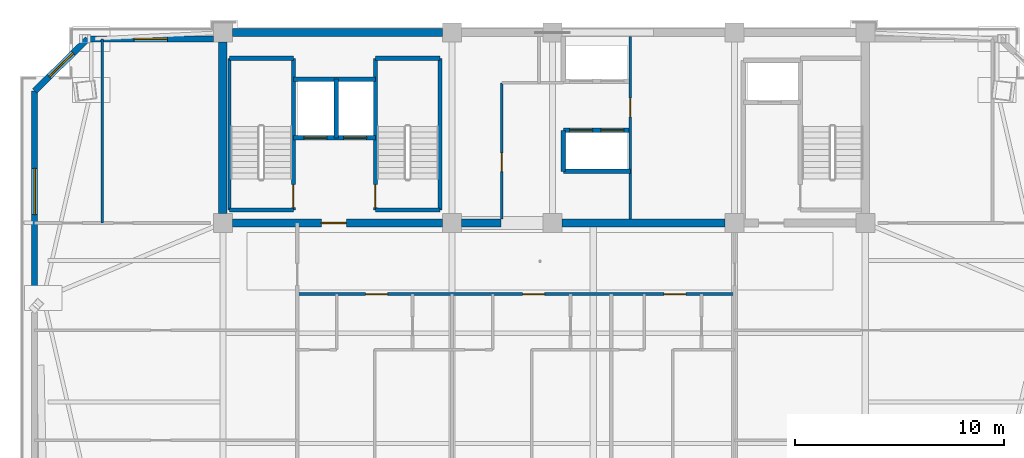
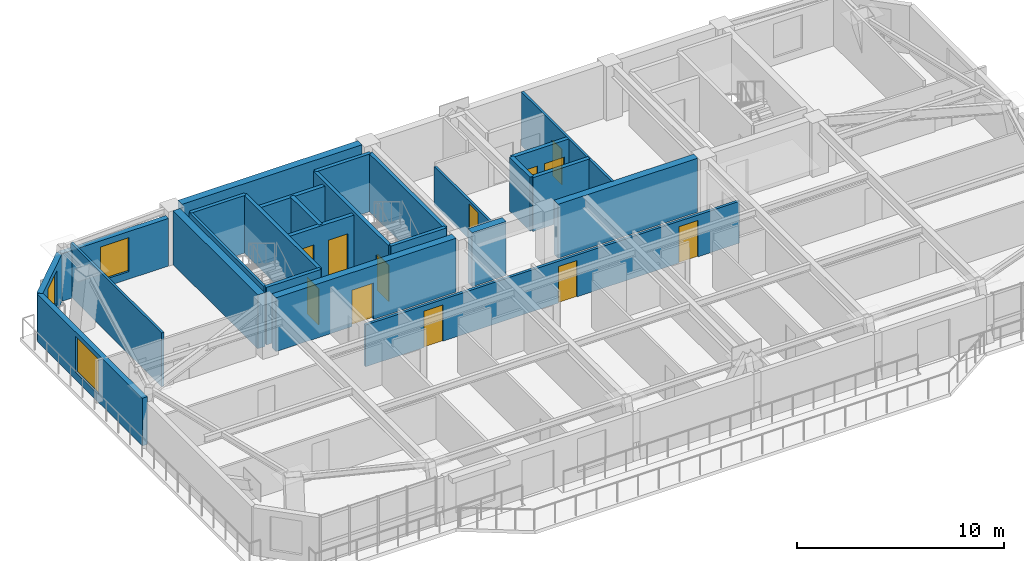
# One storey, part 7 of 14: 26 walls, 12 doors, 3 windows, 15 openings.
"""IFC4 building model written with IfcOpenShell, lengths in metres."""

from ifc_helpers import new_model, si_unit, direction, frame, frame_2d, origin, place, context, subcontext, project, spatial, rectangle, extrude, source, transform, mapped, material, layer, layer_set, type_object, element, fill, save


model = new_model("IFC4")

# Units and contexts
model_context = context("Model", 3, precision=1e-05, world=origin(), true_north=direction((0.0, 1.0)))
body_context = subcontext(model_context, "Body", "Model", "MODEL_VIEW")
ifc_project = project(units=[si_unit("LENGTHUNIT", "METRE"), si_unit("AREAUNIT", "SQUARE_METRE"), si_unit("VOLUMEUNIT", "CUBIC_METRE"), si_unit("PLANEANGLEUNIT", "RADIAN"), si_unit("MASSUNIT", "GRAM", prefix="KILO")], contexts=[model_context])

# Site, building, storey
site_placement = place(None, origin())
site = spatial("IfcSite", under=ifc_project, at=site_placement, CompositionType="ELEMENT")
building_placement = place(site_placement, origin())
building = spatial("IfcBuilding", under=site, at=building_placement, Name="Giltprow Tower", CompositionType="ELEMENT")
storey_placement = place(building_placement, frame((0.0, 0.0, 321.0)))
storey = spatial("IfcBuildingStorey", under=building, at=storey_placement, Name="L83", CompositionType="ELEMENT", Elevation=321.0)

# Wall, opening, window
ifc_material_1 = material(Name="Precast concrete C40", Category="concrete")
ifc_layer_1 = layer(ifc_material_1, 0.300048828125, Name="Precast concrete C40")
ifc_layer_set_1 = layer_set([ifc_layer_1], Name="Precast concrete C40")
wall_type_1 = type_object("IfcWallType", Name="EW-NOTCH-CHAMFER-300", PredefinedType="SOLIDWALL", material=ifc_layer_set_1)
wall_1_placement = place(storey_placement, frame((13.39306640625, 46.25, 0.0), z_axis=(0.0, 0.0, 1.0), x_axis=(-0.714112563287, -0.700030890001, 0.0)))
wall_1 = element("IfcWall", 1, at=wall_1_placement, inside=storey, type_object=wall_type_1, Name="L83 Corner Notch Wall NW", PredefinedType="SOLIDWALL", context=body_context, shape_type="SweptSolid", body=[
    extrude(rectangle(XDim=3.55419921875, YDim=0.300048828125, at=frame_2d((1.777099609375, 0.0))), origin(), (0.0, 0.0, 1.0), 2.81494140625),
])
opening_1_placement = place(wall_1_placement, frame((0.97705078125, 0.0, 0.449951171875)))
opening_1 = element("IfcOpeningElement", 2, at=opening_1_placement, cuts=wall_1, Name="Opening WN17", PredefinedType="OPENING", context=body_context, shape_type="SweptSolid", body=[
    extrude(rectangle(XDim=1.60009765625, YDim=2.0, at=frame_2d((0.800048828125, 1.0))), frame((0.0, 0.159912109375, 0.0), z_axis=(0.0, -1.0, 0.0), x_axis=(1.0, 0.0, 0.0)), (0.0, 0.0, 1.0), 0.320068359375),
])
ifc_material_2 = material(Name="Insulated glass", Category="glass")
window_type_1 = type_object("IfcWindowType", Name="WN-COR-1600x2000", PartitioningType="SINGLE_PANEL", PredefinedType="WINDOW", material=ifc_material_2)
shared_shape_1 = source(origin(), body_context, "Body", "SweptSolid", [
    extrude(rectangle(XDim=1.60009765625, YDim=2.0, at=frame_2d((0.800048828125, 1.0))), frame((0.0, 0.030029296875, 0.0), z_axis=(0.0, -1.0, 0.0), x_axis=(1.0, 0.0, 0.0)), (0.0, 0.0, 1.0), 0.06005859375),
])
window_1_placement = place(opening_1_placement, origin())
window_1 = element("IfcWindow", 3, at=window_1_placement, inside=storey, type_object=window_type_1, Name="L83 Corner Notch Window NW", OverallHeight=2.0, OverallWidth=1.60009765625, PartitioningType="SINGLE_PANEL", PredefinedType="WINDOW", context=body_context, shape_type="MappedRepresentation", body=[
    mapped(shared_shape_1, transform((0.0, 0.0, 0.0), x_axis=(1.0, 0.0, 0.0), y_axis=(0.0, 1.0, 0.0), z_axis=(0.0, 0.0, 1.0), scale=1.0)),
])
fill(opening_1, window_1)

ifc_layer_2 = layer(ifc_material_1, 0.280029296875, Name="Precast concrete C40")
ifc_layer_set_2 = layer_set([ifc_layer_2], Name="Precast concrete C40")
wall_type_2 = type_object("IfcWallType", Name="EW-TOW-BRONZE-280", PredefinedType="SOLIDWALL", material=ifc_layer_set_2)
wall_2_placement = place(storey_placement, frame((10.85498046875, 33.60205078125, 0.0), z_axis=(0.0, 0.0, 1.0), x_axis=(0.0, 1.0, 0.0)))
wall_2 = element("IfcWall", 4, at=wall_2_placement, inside=storey, type_object=wall_type_2, Name="L83 W Wing Masonry Wall 2", PredefinedType="SOLIDWALL", context=body_context, shape_type="SweptSolid", body=[
    extrude(rectangle(XDim=10.159912109375, YDim=0.280029296875, at=frame_2d((5.080078125, 0.0))), origin(), (0.0, 0.0, 1.0), 2.81494140625),
])
opening_2_placement = place(wall_2_placement, frame((4.2529296875, 0.0, 0.449951171875)))
opening_2 = element("IfcOpeningElement", 5, at=opening_2_placement, cuts=wall_2, Name="Opening WN27", PredefinedType="OPENING", context=body_context, shape_type="SweptSolid", body=[
    extrude(rectangle(XDim=2.199951171875, YDim=2.10009765625, at=frame_2d((1.10009765625, 1.050048828125))), frame((0.0, 0.14990234375, 0.0), z_axis=(0.0, -1.0, 0.0), x_axis=(1.0, 0.0, 0.0)), (0.0, 0.0, 1.0), 0.300048828125),
])
window_type_2 = type_object("IfcWindowType", Name="WN-RES-2200x2100", PartitioningType="TRIPLE_PANEL_VERTICAL", PredefinedType="WINDOW", material=ifc_material_2)
shared_shape_2 = source(origin(), body_context, "Body", "SweptSolid", [
    extrude(rectangle(XDim=2.199951171875, YDim=2.10009765625, at=frame_2d((1.10009765625, 1.050048828125))), frame((0.0, 0.030029296875, 0.0), z_axis=(0.0, -1.0, 0.0), x_axis=(1.0, 0.0, 0.0)), (0.0, 0.0, 1.0), 0.06005859375),
])
window_2_placement = place(opening_2_placement, origin())
window_2 = element("IfcWindow", 6, at=window_2_placement, inside=storey, type_object=window_type_2, Name="L83 W Wing Window 2-1", OverallHeight=2.10009765625, OverallWidth=2.199951171875, PartitioningType="SINGLE_PANEL", PredefinedType="WINDOW", context=body_context, shape_type="MappedRepresentation", body=[
    mapped(shared_shape_2, transform((0.0, 0.0, 0.0), x_axis=(1.0, 0.0, 0.0), y_axis=(0.0, 1.0, 0.0), z_axis=(0.0, 0.0, 1.0), scale=1.0)),
])
fill(opening_2, window_2)

wall_3_placement = place(storey_placement, frame((13.39306640625, 46.25, 0.0), z_axis=(0.0, 0.0, 1.0), x_axis=(1.0, 0.0, 0.0)))
wall_3 = element("IfcWall", 7, at=wall_3_placement, inside=storey, type_object=wall_type_2, Name="L83 North-West Wing Wall", PredefinedType="SOLIDWALL", context=body_context, shape_type="SweptSolid", body=[
    extrude(rectangle(XDim=6.0068359375, YDim=0.280029296875, at=frame_2d((3.00341796875, 0.0))), origin(), (0.0, 0.0, 1.0), 2.81494140625),
])
opening_3_placement = place(wall_3_placement, frame((2.202880859375, 0.0, 0.449951171875)))
opening_3 = element("IfcOpeningElement", 8, at=opening_3_placement, cuts=wall_3, Name="Opening WN17", PredefinedType="OPENING", context=body_context, shape_type="SweptSolid", body=[
    extrude(rectangle(XDim=1.60009765625, YDim=2.0, at=frame_2d((0.800048828125, 1.0))), frame((0.0, 0.14990234375, 0.0), z_axis=(0.0, -1.0, 0.0), x_axis=(1.0, 0.0, 0.0)), (0.0, 0.0, 1.0), 0.300048828125),
])
window_3_placement = place(opening_3_placement, origin())
window_3 = element("IfcWindow", 9, at=window_3_placement, inside=storey, type_object=window_type_1, Name="L83 North-West Window", OverallHeight=2.0, OverallWidth=1.60009765625, PartitioningType="SINGLE_PANEL", PredefinedType="WINDOW", context=body_context, shape_type="MappedRepresentation", body=[
    mapped(shared_shape_1, transform((0.0, 0.0, 0.0), x_axis=(1.0, 0.0, 0.0), y_axis=(0.0, 1.0, 0.0), z_axis=(0.0, 0.0, 1.0), scale=1.0)),
])
fill(opening_3, window_3)

# Wall, openings, doors
ifc_material_3 = material(Name="Gypsum stud partition", Category="gypsum")
ifc_layer_3 = layer(ifc_material_3, 0.14990234375, Name="Gypsum stud partition")
ifc_layer_set_3 = layer_set([ifc_layer_3], Name="Gypsum stud partition")
wall_type_3 = type_object("IfcWallType", Name="IW-CORR-150", PredefinedType="PARTITIONING", material=ifc_layer_set_3)
wall_4_placement = place(storey_placement, frame((23.39990234375, 34.050048828125, 0.0), z_axis=(0.0, 0.0, 1.0), x_axis=(1.0, 0.0, 0.0)))
wall_4 = element("IfcWall", 10, at=wall_4_placement, inside=storey, type_object=wall_type_3, Name="L83 Residence Gallery Corridor Wall", PredefinedType="PARTITIONING", context=body_context, shape_type="SweptSolid", body=[
    extrude(rectangle(XDim=20.900146484375, YDim=0.14990234375, at=frame_2d((10.4501953125, 0.0))), origin(), (0.0, 0.0, 1.0), 2.469970703125),
])
opening_4_placement = place(wall_4_placement, frame((3.27490234375, 0.0, 0.0)))
opening_4 = element("IfcOpeningElement", 11, at=opening_4_placement, cuts=wall_4, Name="Opening ID31", PredefinedType="OPENING", context=body_context, shape_type="SweptSolid", body=[
    extrude(rectangle(XDim=1.050048828125, YDim=2.14990234375, at=frame_2d((0.52490234375, 1.074951171875))), frame((0.0, 0.0849609375, 0.0), z_axis=(0.0, -1.0, 0.0), x_axis=(1.0, 0.0, 0.0)), (0.0, 0.0, 1.0), 0.169921875),
])
opening_5_placement = place(wall_4_placement, frame((10.77490234375, 0.0, 0.0)))
opening_5 = element("IfcOpeningElement", 12, at=opening_5_placement, cuts=wall_4, Name="Opening ID31", PredefinedType="OPENING", context=body_context, shape_type="SweptSolid", body=[
    extrude(rectangle(XDim=1.050048828125, YDim=2.14990234375, at=frame_2d((0.52490234375, 1.074951171875))), frame((0.0, 0.0849609375, 0.0), z_axis=(0.0, -1.0, 0.0), x_axis=(1.0, 0.0, 0.0)), (0.0, 0.0, 1.0), 0.169921875),
])
opening_6_placement = place(wall_4_placement, frame((17.52490234375, 0.0, 0.0)))
opening_6 = element("IfcOpeningElement", 13, at=opening_6_placement, cuts=wall_4, Name="Opening ID31", PredefinedType="OPENING", context=body_context, shape_type="SweptSolid", body=[
    extrude(rectangle(XDim=1.050048828125, YDim=2.14990234375, at=frame_2d((0.52490234375, 1.074951171875))), frame((0.0, 0.0849609375, 0.0), z_axis=(0.0, -1.0, 0.0), x_axis=(1.0, 0.0, 0.0)), (0.0, 0.0, 1.0), 0.169921875),
])
ifc_material_4 = material(Name="Engineered timber", Category="wood")
door_type_1 = type_object("IfcDoorType", Name="DR-SUITE-1050", OperationType="SINGLE_SWING_LEFT", PredefinedType="DOOR", material=ifc_material_4)
shared_shape_3 = source(origin(), body_context, "Body", "SweptSolid", [
    extrude(rectangle(XDim=1.050048828125, YDim=2.14990234375, at=frame_2d((0.52490234375, 1.074951171875))), frame((0.0, 0.02490234375, 0.0), z_axis=(0.0, -1.0, 0.0), x_axis=(1.0, 0.0, 0.0)), (0.0, 0.0, 1.0), 0.050048828125),
])
door_1_placement = place(opening_4_placement, origin())
door_1 = element("IfcDoor", 14, at=door_1_placement, inside=storey, type_object=door_type_1, Name="L83 Unit 1 Entrance Door", OperationType="SINGLE_SWING_LEFT", OverallHeight=2.14990234375, OverallWidth=1.050048828125, PredefinedType="DOOR", context=body_context, shape_type="MappedRepresentation", body=[
    mapped(shared_shape_3, transform((0.0, 0.0, 0.0), x_axis=(1.0, 0.0, 0.0), y_axis=(0.0, 1.0, 0.0), z_axis=(0.0, 0.0, 1.0), scale=1.0)),
])
fill(opening_4, door_1)
door_2_placement = place(opening_5_placement, origin())
door_2 = element("IfcDoor", 15, at=door_2_placement, inside=storey, type_object=door_type_1, Name="L83 Unit 2 Entrance Door", OperationType="SINGLE_SWING_LEFT", OverallHeight=2.14990234375, OverallWidth=1.050048828125, PredefinedType="DOOR", context=body_context, shape_type="MappedRepresentation", body=[
    mapped(shared_shape_3, transform((0.0, 0.0, 0.0), x_axis=(1.0, 0.0, 0.0), y_axis=(0.0, 1.0, 0.0), z_axis=(0.0, 0.0, 1.0), scale=1.0)),
])
fill(opening_5, door_2)
door_3_placement = place(opening_6_placement, origin())
door_3 = element("IfcDoor", 16, at=door_3_placement, inside=storey, type_object=door_type_1, Name="L83 Unit 3 Entrance Door", OperationType="SINGLE_SWING_LEFT", OverallHeight=2.14990234375, OverallWidth=1.050048828125, PredefinedType="DOOR", context=body_context, shape_type="MappedRepresentation", body=[
    mapped(shared_shape_3, transform((0.0, 0.0, 0.0), x_axis=(1.0, 0.0, 0.0), y_axis=(0.0, 1.0, 0.0), z_axis=(0.0, 0.0, 1.0), scale=1.0)),
])
fill(opening_6, door_3)

ifc_material_5 = material(Name="Concrete C40", Category="concrete")
ifc_layer_4 = layer(ifc_material_5, 0.219970703125, Name="Concrete C40")
ifc_layer_set_4 = layer_set([ifc_layer_4], Name="Concrete C40")
wall_type_4 = type_object("IfcWallType", Name="IW-SHAFT-220", PredefinedType="SOLIDWALL", material=ifc_layer_set_4)
wall_5_placement = place(storey_placement, frame((23.219970703125, 41.52001953125, 0.0), z_axis=(0.0, 0.0, 1.0), x_axis=(1.0, 0.0, 0.0)))
wall_5 = element("IfcWall", 17, at=wall_5_placement, inside=storey, type_object=wall_type_4, Name="L83 FFL1 and Service Lift Front Wall", PredefinedType="SOLIDWALL", context=body_context, shape_type="SweptSolid", body=[
    extrude(rectangle(XDim=3.919921875, YDim=0.219970703125, at=frame_2d((1.9599609375, 0.0))), origin(), (0.0, 0.0, 1.0), 3.18505859375),
])
opening_7_placement = place(wall_5_placement, frame((0.5, 0.0, 0.0)))
opening_7 = element("IfcOpeningElement", 18, at=opening_7_placement, cuts=wall_5, Name="Opening LD-11", PredefinedType="OPENING", context=body_context, shape_type="SweptSolid", body=[
    extrude(rectangle(XDim=1.10009765625, YDim=2.199951171875, at=frame_2d((0.550048828125, 1.10009765625))), frame((0.0, 0.119873046875, 0.0), z_axis=(0.0, -1.0, 0.0), x_axis=(1.0, 0.0, 0.0)), (0.0, 0.0, 1.0), 0.239990234375),
])
opening_8_placement = place(wall_5_placement, frame((2.39990234375, 0.0, 0.0)))
opening_8 = element("IfcOpeningElement", 19, at=opening_8_placement, cuts=wall_5, Name="Opening LD-11", PredefinedType="OPENING", context=body_context, shape_type="SweptSolid", body=[
    extrude(rectangle(XDim=1.10009765625, YDim=2.199951171875, at=frame_2d((0.550048828125, 1.10009765625))), frame((0.0, 0.119873046875, 0.0), z_axis=(0.0, -1.0, 0.0), x_axis=(1.0, 0.0, 0.0)), (0.0, 0.0, 1.0), 0.239990234375),
])
ifc_material_6 = material(Name="Stainless steel", Category="steel")
door_type_2 = type_object("IfcDoorType", Name="DR-LIFT-LD1100", OperationType="SLIDING_TO_LEFT", PredefinedType="DOOR", material=ifc_material_6)
shared_shape_4 = source(origin(), body_context, "Body", "SweptSolid", [
    extrude(rectangle(XDim=1.10009765625, YDim=2.199951171875, at=frame_2d((0.550048828125, 1.10009765625))), frame((0.0, 0.02490234375, 0.0), z_axis=(0.0, -1.0, 0.0), x_axis=(1.0, 0.0, 0.0)), (0.0, 0.0, 1.0), 0.050048828125),
])
door_4_placement = place(opening_7_placement, origin())
door_4 = element("IfcDoor", 20, at=door_4_placement, inside=storey, type_object=door_type_2, Name="L83 FFL1 Landing Door", OperationType="SLIDING_TO_LEFT", OverallHeight=2.199951171875, OverallWidth=1.10009765625, PredefinedType="DOOR", context=body_context, shape_type="MappedRepresentation", body=[
    mapped(shared_shape_4, transform((0.0, 0.0, 0.0), x_axis=(1.0, 0.0, 0.0), y_axis=(0.0, 1.0, 0.0), z_axis=(0.0, 0.0, 1.0), scale=1.0)),
])
fill(opening_7, door_4)
door_5_placement = place(opening_8_placement, origin())
door_5 = element("IfcDoor", 21, at=door_5_placement, inside=storey, type_object=door_type_2, Name="L83 SVL1 Landing Door", OperationType="SLIDING_TO_LEFT", OverallHeight=2.199951171875, OverallWidth=1.10009765625, PredefinedType="DOOR", context=body_context, shape_type="MappedRepresentation", body=[
    mapped(shared_shape_4, transform((0.0, 0.0, 0.0), x_axis=(1.0, 0.0, 0.0), y_axis=(0.0, 1.0, 0.0), z_axis=(0.0, 0.0, 1.0), scale=1.0)),
])
fill(opening_8, door_5)

# Walls
wall_6_placement = place(storey_placement, frame((25.260009765625, 41.52001953125, 0.0), z_axis=(0.0, 0.0, 1.0), x_axis=(0.0, 1.0, 0.0)))
element("IfcWall", 22, at=wall_6_placement, inside=storey, type_object=wall_type_4, Name="L83 FFL1-SVL1 Shaft Divider", PredefinedType="SOLIDWALL", context=body_context, shape_type="SweptSolid", body=[
    extrude(rectangle(XDim=2.800048828125, YDim=0.219970703125, at=frame_2d((1.39990234375, 0.0))), origin(), (0.0, 0.0, 1.0), 3.18505859375),
])
wall_7_placement = place(storey_placement, frame((23.219970703125, 44.320068359375, 0.0), z_axis=(0.0, 0.0, 1.0), x_axis=(1.0, 0.0, 0.0)))
element("IfcWall", 23, at=wall_7_placement, inside=storey, type_object=wall_type_4, Name="L83 FFL1-SVL1 Back Shaft Wall", PredefinedType="SOLIDWALL", context=body_context, shape_type="SweptSolid", body=[
    extrude(rectangle(XDim=3.919921875, YDim=0.219970703125, at=frame_2d((1.9599609375, 0.0))), origin(), (0.0, 0.0, 1.0), 3.18505859375),
])

# Wall, openings, doors
wall_8_placement = place(storey_placement, frame((36.1201171875, 41.8798828125, 0.0), z_axis=(0.0, 0.0, 1.0), x_axis=(1.0, 0.0, 0.0)))
wall_8 = element("IfcWall", 24, at=wall_8_placement, inside=storey, type_object=wall_type_4, Name="L83 High-Rise Lift Shaft Front Wall S", PredefinedType="SOLIDWALL", context=body_context, shape_type="SweptSolid", body=[
    extrude(rectangle(XDim=3.199951171875, YDim=0.219970703125, at=frame_2d((1.60009765625, 0.0))), origin(), (0.0, 0.0, 1.0), 3.18505859375),
])
opening_9_placement = place(wall_8_placement, frame((0.300048828125, 0.0, 0.0)))
opening_9 = element("IfcOpeningElement", 25, at=opening_9_placement, cuts=wall_8, Name="Opening LD-11", PredefinedType="OPENING", context=body_context, shape_type="SweptSolid", body=[
    extrude(rectangle(XDim=1.10009765625, YDim=2.199951171875, at=frame_2d((0.550048828125, 1.10009765625))), frame((0.0, 0.119873046875, 0.0), z_axis=(0.0, -1.0, 0.0), x_axis=(1.0, 0.0, 0.0)), (0.0, 0.0, 1.0), 0.239990234375),
])
opening_10_placement = place(wall_8_placement, frame((1.7900390625, 0.0, 0.0)))
opening_10 = element("IfcOpeningElement", 26, at=opening_10_placement, cuts=wall_8, Name="Opening LD-11", PredefinedType="OPENING", context=body_context, shape_type="SweptSolid", body=[
    extrude(rectangle(XDim=1.10009765625, YDim=2.199951171875, at=frame_2d((0.550048828125, 1.10009765625))), frame((0.0, 0.119873046875, 0.0), z_axis=(0.0, -1.0, 0.0), x_axis=(1.0, 0.0, 0.0)), (0.0, 0.0, 1.0), 0.239990234375),
])
door_6_placement = place(opening_9_placement, origin())
door_6 = element("IfcDoor", 27, at=door_6_placement, inside=storey, type_object=door_type_2, Name="L83 PL-H3 Landing Door", OperationType="SLIDING_TO_LEFT", OverallHeight=2.199951171875, OverallWidth=1.10009765625, PredefinedType="DOOR", context=body_context, shape_type="MappedRepresentation", body=[
    mapped(shared_shape_4, transform((0.0, 0.0, 0.0), x_axis=(1.0, 0.0, 0.0), y_axis=(0.0, 1.0, 0.0), z_axis=(0.0, 0.0, 1.0), scale=1.0)),
])
fill(opening_9, door_6)
door_7_placement = place(opening_10_placement, origin())
door_7 = element("IfcDoor", 28, at=door_7_placement, inside=storey, type_object=door_type_2, Name="L83 PL-H4 Landing Door", OperationType="SLIDING_TO_LEFT", OverallHeight=2.199951171875, OverallWidth=1.10009765625, PredefinedType="DOOR", context=body_context, shape_type="MappedRepresentation", body=[
    mapped(shared_shape_4, transform((0.0, 0.0, 0.0), x_axis=(1.0, 0.0, 0.0), y_axis=(0.0, 1.0, 0.0), z_axis=(0.0, 0.0, 1.0), scale=1.0)),
])
fill(opening_10, door_7)

# Walls
wall_9_placement = place(storey_placement, frame((36.1201171875, 39.919921875, 0.0), z_axis=(0.0, 0.0, 1.0), x_axis=(1.0, 0.0, 0.0)))
element("IfcWall", 29, at=wall_9_placement, inside=storey, type_object=wall_type_4, Name="L83 High-Rise South Lift Back Wall", PredefinedType="SOLIDWALL", context=body_context, shape_type="SweptSolid", body=[
    extrude(rectangle(XDim=3.199951171875, YDim=0.219970703125, at=frame_2d((1.60009765625, 0.0))), origin(), (0.0, 0.0, 1.0), 3.18505859375),
])
wall_10_placement = place(storey_placement, frame((36.1201171875, 39.919921875, 0.0), z_axis=(0.0, 0.0, 1.0), x_axis=(0.0, 1.0, 0.0)))
element("IfcWall", 30, at=wall_10_placement, inside=storey, type_object=wall_type_4, Name="L83 High-Rise South Lift West Closure", PredefinedType="SOLIDWALL", context=body_context, shape_type="SweptSolid", body=[
    extrude(rectangle(XDim=1.9599609375, YDim=0.219970703125, at=frame_2d((0.97998046875, 0.0))), origin(), (0.0, 0.0, 1.0), 3.18505859375),
])
ifc_material_7 = material(Name="Concrete C45", Category="concrete")
ifc_layer_5 = layer(ifc_material_7, 0.139892578125, Name="Concrete C45")
ifc_layer_set_5 = layer_set([ifc_layer_5], Name="Concrete C45")
wall_type_5 = type_object("IfcWallType", Name="IW-STAIR-140", PredefinedType="SOLIDWALL", material=ifc_layer_set_5)
wall_11_placement = place(storey_placement, frame((20.169921875, 38.070068359375, 0.0), z_axis=(0.0, 0.0, 1.0), x_axis=(0.0, 1.0, 0.0)))
element("IfcWall", 31, at=wall_11_placement, inside=storey, type_object=wall_type_5, Name="L83 Stair ST-1 West Bearing Wall", PredefinedType="SOLIDWALL", context=body_context, shape_type="SweptSolid", body=[
    extrude(rectangle(XDim=7.25, YDim=0.139892578125, at=frame_2d((3.625, 0.0))), origin(), (0.0, 0.0, 1.0), 3.39990234375),
])

# Wall, opening, door
ifc_layer_6 = layer(ifc_material_5, 0.199951171875, Name="Concrete C40")
ifc_layer_set_6 = layer_set([ifc_layer_6], Name="Concrete C40")
wall_type_6 = type_object("IfcWallType", Name="IW-STAIR-200", PredefinedType="SOLIDWALL", material=ifc_layer_set_6)
wall_12_placement = place(storey_placement, frame((23.219970703125, 38.070068359375, 0.0), z_axis=(0.0, 0.0, 1.0), x_axis=(0.0, 1.0, 0.0)))
wall_12 = element("IfcWall", 32, at=wall_12_placement, inside=storey, type_object=wall_type_6, Name="L83 Stair ST-1 East Bearing Wall", PredefinedType="SOLIDWALL", context=body_context, shape_type="SweptSolid", body=[
    extrude(rectangle(XDim=7.25, YDim=0.199951171875, at=frame_2d((3.625, 0.0))), origin(), (0.0, 0.0, 1.0), 3.39990234375),
])
opening_11_placement = place(wall_12_placement, frame((0.110107421875, 0.0, 0.0)))
opening_11 = element("IfcOpeningElement", 33, at=opening_11_placement, cuts=wall_12, Name="Opening ID33", PredefinedType="OPENING", context=body_context, shape_type="SweptSolid", body=[
    extrude(rectangle(XDim=1.10009765625, YDim=2.14990234375, at=frame_2d((0.550048828125, 1.074951171875))), frame((0.0, 0.10986328125, 0.0), z_axis=(0.0, -1.0, 0.0), x_axis=(1.0, 0.0, 0.0)), (0.0, 0.0, 1.0), 0.219970703125),
])
ifc_material_8 = material(Name="Steel fire leaf", Category="steel")
door_type_3 = type_object("IfcDoorType", Name="DR-STAIR-1100", OperationType="SINGLE_SWING_LEFT", PredefinedType="DOOR", material=ifc_material_8)
shared_shape_5 = source(origin(), body_context, "Body", "SweptSolid", [
    extrude(rectangle(XDim=1.10009765625, YDim=2.14990234375, at=frame_2d((0.550048828125, 1.074951171875))), frame((0.0, 0.02490234375, 0.0), z_axis=(0.0, -1.0, 0.0), x_axis=(1.0, 0.0, 0.0)), (0.0, 0.0, 1.0), 0.050048828125),
])
door_8_placement = place(opening_11_placement, origin())
door_8 = element("IfcDoor", 34, at=door_8_placement, inside=storey, type_object=door_type_3, Name="L83 Stair ST-1 Fire Door", OperationType="SINGLE_SWING_LEFT", OverallHeight=2.14990234375, OverallWidth=1.10009765625, PredefinedType="DOOR", context=body_context, shape_type="MappedRepresentation", body=[
    mapped(shared_shape_5, transform((0.0, 0.0, 0.0), x_axis=(1.0, 0.0, 0.0), y_axis=(0.0, 1.0, 0.0), z_axis=(0.0, 0.0, 1.0), scale=1.0)),
])
fill(opening_11, door_8)

# Walls
for number, where, z_axis, x_axis, name in (
    (35, (20.169921875, 45.320068359375, 0.0), (0.0, 0.0, 1.0), (1.0, 0.0, 0.0), "L83 Stair ST-1 North Bearing Wall"),
    (36, (20.169921875, 38.070068359375, 0.0), (0.0, 0.0, 1.0), (1.0, 0.0, 0.0), "L83 Stair ST-1 South Bearing Wall"),
):
    element("IfcWall", number, at=place(storey_placement, frame(where, z_axis=z_axis, x_axis=x_axis)), inside=storey, type_object=wall_type_6, Name=name, PredefinedType="SOLIDWALL", context=body_context, shape_type="SweptSolid", body=[
        extrude(rectangle(XDim=3.050048828125, YDim=0.199951171875, at=frame_2d((1.52490234375, 0.0))), origin(), (0.0, 0.0, 1.0), 3.39990234375),
    ])

# Wall, opening, door
wall_13_placement = place(storey_placement, frame((27.139892578125, 38.070068359375, 0.0), z_axis=(0.0, 0.0, 1.0), x_axis=(0.0, 1.0, 0.0)))
wall_13 = element("IfcWall", 37, at=wall_13_placement, inside=storey, type_object=wall_type_6, Name="L83 Stair ST-2 West Bearing Wall", PredefinedType="SOLIDWALL", context=body_context, shape_type="SweptSolid", body=[
    extrude(rectangle(XDim=7.25, YDim=0.199951171875, at=frame_2d((3.625, 0.0))), origin(), (0.0, 0.0, 1.0), 3.39990234375),
])
opening_12_placement = place(wall_13_placement, frame((0.110107421875, 0.0, 0.0)))
opening_12 = element("IfcOpeningElement", 38, at=opening_12_placement, cuts=wall_13, Name="Opening ID33", PredefinedType="OPENING", context=body_context, shape_type="SweptSolid", body=[
    extrude(rectangle(XDim=1.10009765625, YDim=2.14990234375, at=frame_2d((0.550048828125, 1.074951171875))), frame((0.0, 0.10986328125, 0.0), z_axis=(0.0, -1.0, 0.0), x_axis=(1.0, 0.0, 0.0)), (0.0, 0.0, 1.0), 0.219970703125),
])
door_9_placement = place(opening_12_placement, origin())
door_9 = element("IfcDoor", 39, at=door_9_placement, inside=storey, type_object=door_type_3, Name="L83 Stair ST-2 Fire Door", OperationType="SINGLE_SWING_RIGHT", OverallHeight=2.14990234375, OverallWidth=1.10009765625, PredefinedType="DOOR", context=body_context, shape_type="MappedRepresentation", body=[
    mapped(shared_shape_5, transform((0.0, 0.0, 0.0), x_axis=(1.0, 0.0, 0.0), y_axis=(0.0, 1.0, 0.0), z_axis=(0.0, 0.0, 1.0), scale=1.0)),
])
fill(opening_12, door_9)

# Walls
wall_14_placement = place(storey_placement, frame((30.219970703125, 38.070068359375, 0.0), z_axis=(0.0, 0.0, 1.0), x_axis=(0.0, 1.0, 0.0)))
element("IfcWall", 40, at=wall_14_placement, inside=storey, type_object=wall_type_6, Name="L83 Stair ST-2 East Bearing Wall", PredefinedType="SOLIDWALL", context=body_context, shape_type="SweptSolid", body=[
    extrude(rectangle(XDim=7.25, YDim=0.199951171875, at=frame_2d((3.625, 0.0))), origin(), (0.0, 0.0, 1.0), 3.39990234375),
])
for number, where, z_axis, x_axis, name in (
    (41, (27.139892578125, 45.320068359375, 0.0), (0.0, 0.0, 1.0), (1.0, 0.0, 0.0), "L83 Stair ST-2 North Bearing Wall"),
    (42, (27.139892578125, 38.070068359375, 0.0), (0.0, 0.0, 1.0), (1.0, 0.0, 0.0), "L83 Stair ST-2 South Bearing Wall"),
):
    element("IfcWall", number, at=place(storey_placement, frame(where, z_axis=z_axis, x_axis=x_axis)), inside=storey, type_object=wall_type_6, Name=name, PredefinedType="SOLIDWALL", context=body_context, shape_type="SweptSolid", body=[
        extrude(rectangle(XDim=3.080078125, YDim=0.199951171875, at=frame_2d((1.5400390625, 0.0))), origin(), (0.0, 0.0, 1.0), 3.39990234375),
    ])

# Wall, opening, door
ifc_material_9 = material(Name="Concrete C30", Category="concrete")
ifc_layer_7 = layer(ifc_material_9, 0.1298828125, Name="Concrete C30")
ifc_layer_set_7 = layer_set([ifc_layer_7], Name="Concrete C30")
wall_type_7 = type_object("IfcWallType", Name="IW-WET-130", PredefinedType="PARTITIONING", material=ifc_layer_set_7)
wall_15_placement = place(storey_placement, frame((33.179931640625, 37.6298828125, 0.0), z_axis=(0.0, 0.0, 1.0), x_axis=(0.0, 1.0, 0.0)))
wall_15 = element("IfcWall", 43, at=wall_15_placement, inside=storey, type_object=wall_type_7, Name="L83 Reclaimed West Core Wall", PredefinedType="PARTITIONING", context=body_context, shape_type="SweptSolid", body=[
    extrude(rectangle(XDim=6.52001953125, YDim=0.1298828125, at=frame_2d((3.260009765625, 0.0))), origin(), (0.0, 0.0, 1.0), 2.27001953125),
])
opening_13_placement = place(wall_15_placement, frame((2.27001953125, 0.0, 0.0)))
opening_13 = element("IfcOpeningElement", 44, at=opening_13_placement, cuts=wall_15, Name="Opening ID35", PredefinedType="OPENING", context=body_context, shape_type="SweptSolid", body=[
    extrude(rectangle(XDim=0.89990234375, YDim=2.10009765625, at=frame_2d((0.449951171875, 1.050048828125))), frame((0.0, 0.074951171875, 0.0), z_axis=(0.0, -1.0, 0.0), x_axis=(1.0, 0.0, 0.0)), (0.0, 0.0, 1.0), 0.14990234375),
])
door_type_4 = type_object("IfcDoorType", Name="DR-SHAFT-900", OperationType="SINGLE_SWING_LEFT", PredefinedType="DOOR", material=ifc_material_8)
shared_shape_6 = source(origin(), body_context, "Body", "SweptSolid", [
    extrude(rectangle(XDim=0.89990234375, YDim=2.10009765625, at=frame_2d((0.449951171875, 1.050048828125))), frame((0.0, 0.02490234375, 0.0), z_axis=(0.0, -1.0, 0.0), x_axis=(1.0, 0.0, 0.0)), (0.0, 0.0, 1.0), 0.050048828125),
])
door_10_placement = place(opening_13_placement, origin())
door_10 = element("IfcDoor", 45, at=door_10_placement, inside=storey, type_object=door_type_4, Name="L83 Core Accessible Washroom Door", OperationType="SINGLE_SWING_RIGHT", OverallHeight=2.10009765625, OverallWidth=0.89990234375, PredefinedType="DOOR", context=body_context, shape_type="MappedRepresentation", body=[
    mapped(shared_shape_6, transform((0.0, 0.0, 0.0), x_axis=(1.0, 0.0, 0.0), y_axis=(0.0, 1.0, 0.0), z_axis=(0.0, 0.0, 1.0), scale=1.0)),
])
fill(opening_13, door_10)

wall_16_placement = place(storey_placement, frame((39.320068359375, 37.6298828125, 0.0), z_axis=(0.0, 0.0, 1.0), x_axis=(0.0, 1.0, 0.0)))
wall_16 = element("IfcWall", 46, at=wall_16_placement, inside=storey, type_object=wall_type_7, Name="L83 Reclaimed East Core Wall", PredefinedType="PARTITIONING", context=body_context, shape_type="SweptSolid", body=[
    extrude(rectangle(XDim=8.740234375, YDim=0.1298828125, at=frame_2d((4.3701171875, 0.0))), origin(), (0.0, 0.0, 1.0), 3.18505859375),
])
opening_14_placement = place(wall_16_placement, frame((4.889892578125, 0.0, 0.0)))
opening_14 = element("IfcOpeningElement", 47, at=opening_14_placement, cuts=wall_16, Name="Opening ID35", PredefinedType="OPENING", context=body_context, shape_type="SweptSolid", body=[
    extrude(rectangle(XDim=0.89990234375, YDim=2.10009765625, at=frame_2d((0.449951171875, 1.050048828125))), frame((0.0, 0.074951171875, 0.0), z_axis=(0.0, -1.0, 0.0), x_axis=(1.0, 0.0, 0.0)), (0.0, 0.0, 1.0), 0.14990234375),
])
door_11_placement = place(opening_14_placement, origin())
door_11 = element("IfcDoor", 48, at=door_11_placement, inside=storey, type_object=door_type_4, Name="L83 Core Concierge Parcel Store Door", OperationType="SINGLE_SWING_LEFT", OverallHeight=2.10009765625, OverallWidth=0.89990234375, PredefinedType="DOOR", context=body_context, shape_type="MappedRepresentation", body=[
    mapped(shared_shape_6, transform((0.0, 0.0, 0.0), x_axis=(1.0, 0.0, 0.0), y_axis=(0.0, 1.0, 0.0), z_axis=(0.0, 0.0, 1.0), scale=1.0)),
])
fill(opening_14, door_11)

# Walls
wall_17_placement = place(storey_placement, frame((14.0810546875, 37.449951171875, 0.0), z_axis=(0.0, 0.0, 1.0), x_axis=(0.0, 1.0, 0.0)))
element("IfcWall", 49, at=wall_17_placement, inside=storey, type_object=wall_type_7, Name="L83 NW Wing Divider", PredefinedType="PARTITIONING", context=body_context, shape_type="SweptSolid", body=[
    extrude(rectangle(XDim=8.800048828125, YDim=0.1298828125, at=frame_2d((4.39990234375, 0.0))), origin(), (0.0, 0.0, 1.0), 3.18505859375),
])
ifc_layer_8 = layer(ifc_material_7, 0.39990234375, Name="Concrete C45")
ifc_layer_set_8 = layer_set([ifc_layer_8], Name="Concrete C45")
wall_type_8 = type_object("IfcWallType", Name="SW-EXT-400-C45", PredefinedType="SHEAR", material=ifc_layer_set_8)
wall_18_placement = place(storey_placement, frame((20.300048828125, 46.550048828125, 0.0), z_axis=(0.0, 0.0, 1.0), x_axis=(1.0, 0.0, 0.0)))
element("IfcWall", 50, at=wall_18_placement, inside=storey, type_object=wall_type_8, Name="L83 North Rear Core Shear Wall 1", PredefinedType="SHEAR", context=body_context, shape_type="SweptSolid", body=[
    extrude(rectangle(XDim=10.050048828125, YDim=0.39990234375, at=frame_2d((5.02490234375, 0.0))), origin(), (0.0, 0.0, 1.0), 3.18505859375),
])

# Wall, opening, door
ifc_layer_9 = layer(ifc_material_7, 0.39990234375, Name="Concrete C45")
ifc_layer_set_9 = layer_set([ifc_layer_9], Name="Concrete C45")
wall_type_9 = type_object("IfcWallType", Name="SW-INT-400-C45", PredefinedType="SHEAR", material=ifc_layer_set_9)
wall_19_placement = place(storey_placement, frame((20.300048828125, 37.449951171875, 0.0), z_axis=(0.0, 0.0, 1.0), x_axis=(1.0, 0.0, 0.0)))
wall_19 = element("IfcWall", 51, at=wall_19_placement, inside=storey, type_object=wall_type_9, Name="L83 South Rear Core Shear Wall West", PredefinedType="SHEAR", context=body_context, shape_type="SweptSolid", body=[
    extrude(rectangle(XDim=10.050048828125, YDim=0.39990234375, at=frame_2d((5.02490234375, 0.0))), origin(), (0.0, 0.0, 1.0), 3.18505859375),
])
opening_15_placement = place(wall_19_placement, frame((4.25, 0.0, 0.0)))
opening_15 = element("IfcOpeningElement", 52, at=opening_15_placement, cuts=wall_19, Name="Opening ID19", PredefinedType="OPENING", context=body_context, shape_type="SweptSolid", body=[
    extrude(rectangle(XDim=1.199951171875, YDim=2.14990234375, at=frame_2d((0.60009765625, 1.074951171875))), frame((0.0, 0.2099609375, 0.0), z_axis=(0.0, -1.0, 0.0), x_axis=(1.0, 0.0, 0.0)), (0.0, 0.0, 1.0), 0.419921875),
])
door_type_5 = type_object("IfcDoorType", Name="DR-FFLOBBY-1200", OperationType="SINGLE_SWING_RIGHT", PredefinedType="DOOR", material=ifc_material_8)
shared_shape_7 = source(origin(), body_context, "Body", "SweptSolid", [
    extrude(rectangle(XDim=1.199951171875, YDim=2.14990234375, at=frame_2d((0.60009765625, 1.074951171875))), frame((0.0, 0.02490234375, 0.0), z_axis=(0.0, -1.0, 0.0), x_axis=(1.0, 0.0, 0.0)), (0.0, 0.0, 1.0), 0.050048828125),
])
door_12_placement = place(opening_15_placement, origin())
door_12 = element("IfcDoor", 53, at=door_12_placement, inside=storey, type_object=door_type_5, Name="L83 West Firefighting Lobby Entry Door", OperationType="SINGLE_SWING_RIGHT", OverallHeight=2.14990234375, OverallWidth=1.199951171875, PredefinedType="DOOR", context=body_context, shape_type="MappedRepresentation", body=[
    mapped(shared_shape_7, transform((0.0, 0.0, 0.0), x_axis=(1.0, 0.0, 0.0), y_axis=(0.0, 1.0, 0.0), z_axis=(0.0, 0.0, 1.0), scale=1.0)),
])
fill(opening_15, door_12)

# Walls
wall_20_placement = place(storey_placement, frame((31.25, 37.449951171875, 0.0), z_axis=(0.0, 0.0, 1.0), x_axis=(1.0, 0.0, 0.0)))
element("IfcWall", 54, at=wall_20_placement, inside=storey, type_object=wall_type_9, Name="L83 South Rear Core Shear Wall Mid-West", PredefinedType="SHEAR", context=body_context, shape_type="SweptSolid", body=[
    extrude(rectangle(XDim=1.89990234375, YDim=0.39990234375, at=frame_2d((0.949951171875, 0.0))), origin(), (0.0, 0.0, 1.0), 3.18505859375),
])
wall_21_placement = place(storey_placement, frame((36.050048828125, 37.449951171875, 0.0), z_axis=(0.0, 0.0, 1.0), x_axis=(1.0, 0.0, 0.0)))
element("IfcWall", 55, at=wall_21_placement, inside=storey, type_object=wall_type_9, Name="L83 South Rear Core Shear Wall Mid-East", PredefinedType="SHEAR", context=body_context, shape_type="SweptSolid", body=[
    extrude(rectangle(XDim=7.800048828125, YDim=0.39990234375, at=frame_2d((3.89990234375, 0.0))), origin(), (0.0, 0.0, 1.0), 3.18505859375),
])
wall_22_placement = place(storey_placement, frame((19.85009765625, 37.89990234375, 0.0), z_axis=(0.0, 0.0, 1.0), x_axis=(0.0, 1.0, 0.0)))
element("IfcWall", 56, at=wall_22_placement, inside=storey, type_object=wall_type_9, Name="L83 W Rear Core Shear Wall", PredefinedType="SHEAR", context=body_context, shape_type="SweptSolid", body=[
    extrude(rectangle(XDim=8.2001953125, YDim=0.39990234375, at=frame_2d((4.10009765625, 0.0))), origin(), (0.0, 0.0, 1.0), 3.18505859375),
])

save(model, "model.ifc")
